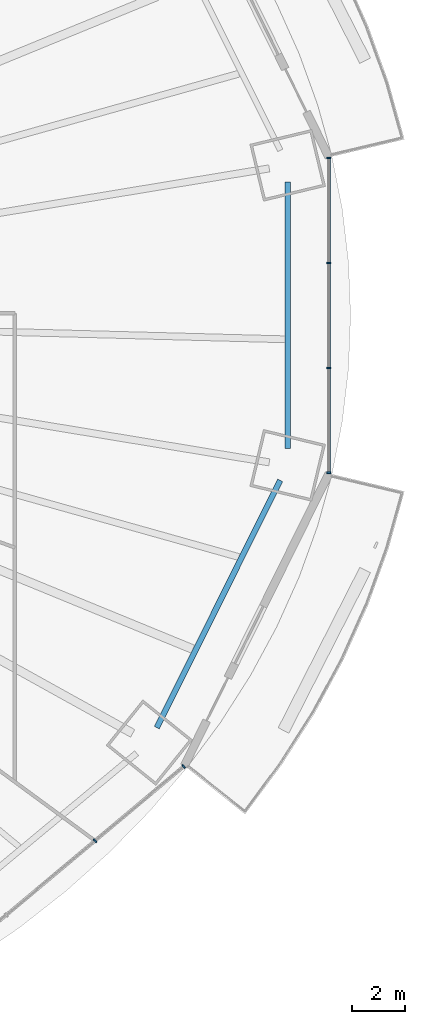
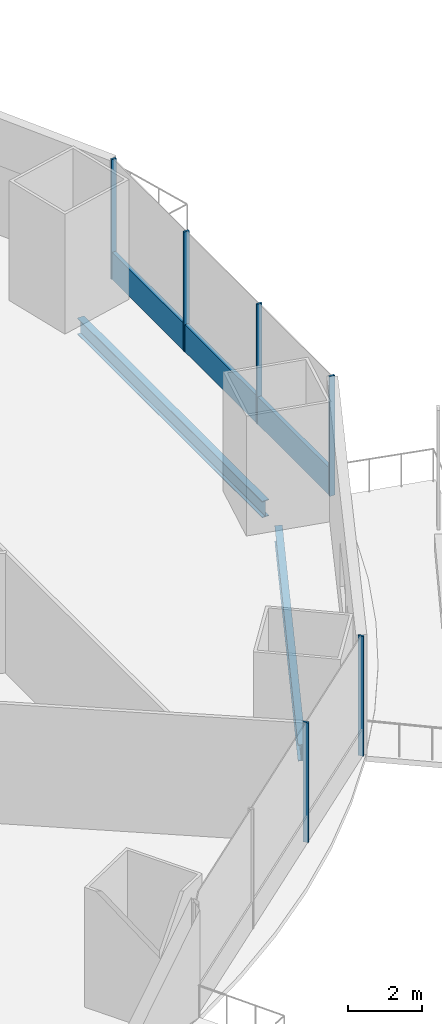
# One storey, part 11 of 23: 7 members, 2 beams, 2 elements without a shape of their own.
"""IFC4 building model written with IfcOpenShell, lengths in metres."""

from ifc_helpers import new_model, si_unit, direction, frame, origin, origin_2d, place, context, subcontext, project, spatial, rectangle, i_section, extrude, material, material_profile, profile_set, type_object, element, aggregate, save


model = new_model("IFC4")

# Units and contexts
model_context = context("Model", 3, precision=1e-05, world=origin(), true_north=direction((0.0, 1.0)))
body_context = subcontext(model_context, "Body", "Model", "MODEL_VIEW")
ifc_project = project(units=[si_unit("LENGTHUNIT", "METRE"), si_unit("AREAUNIT", "SQUARE_METRE"), si_unit("VOLUMEUNIT", "CUBIC_METRE"), si_unit("PLANEANGLEUNIT", "RADIAN"), si_unit("MASSUNIT", "GRAM", prefix="KILO")], contexts=[model_context])

# Site, building, storey
site_placement = place(None, origin())
site = spatial("IfcSite", under=ifc_project, at=site_placement, CompositionType="ELEMENT")
building_placement = place(site_placement, origin())
building = spatial("IfcBuilding", under=site, at=building_placement, Name="Marenthal Gate Tower", CompositionType="ELEMENT")
storey_placement = place(building_placement, frame((0.0, 0.0, 53.75)))
storey = spatial("IfcBuildingStorey", under=building, at=storey_placement, Name="L09", CompositionType="ELEMENT", Elevation=53.75)

# Curtain wall, members
ifc_material_1 = material(Name="Aluminium and glass", Category="aluminium")
curtain_wall_type = type_object("IfcCurtainWallType", Name="Curtain wall typical low", PredefinedType="NOTDEFINED", material=ifc_material_1)
curtain_wall_1_placement = place(storey_placement, origin())
curtain_wall_1 = element("IfcCurtainWall", 1, at=curtain_wall_1_placement, inside=storey, type_object=curtain_wall_type, Name="Curtain wall L09 bay 14", PredefinedType="NOTDEFINED")
ifc_material_2 = material(Name="Aluminium", Category="aluminium")
ifc_material_profile_1 = material_profile(ifc_material_2, rectangle(XDim=0.159912109375, YDim=0.06005859375, at=origin_2d()), Name="60x160 aluminium mullion")
ifc_profile_set_1 = profile_set([ifc_material_profile_1], Name="Aluminium")
member_type_1 = type_object("IfcMemberType", Name="Mullion 60x160 typical low", PredefinedType="MULLION", material=ifc_profile_set_1)
member_1_placement = place(storey_placement, frame((26.938232421875, -19.76611328125, 0.0), z_axis=(0.0, 0.0, 1.0), x_axis=(-0.642047277641, 0.766665046336, 0.0)))
member_1 = element("IfcMember", 2, at=member_1_placement, type_object=member_type_1, Name="Mullion L09 bay 14.3", PredefinedType="MULLION", context=body_context, shape_type="SweptSolid", body=[
    extrude(rectangle(XDim=0.159912109375, YDim=0.06005859375, at=origin_2d()), origin(), (0.0, 0.0, 1.0), 3.969970703125),
])
member_2_placement = place(storey_placement, frame((30.274169921875, -16.972412109375, 0.0), z_axis=(0.0, 0.0, 1.0), x_axis=(-0.642047277641, 0.766665046336, 0.0)))
member_2 = element("IfcMember", 3, at=member_2_placement, type_object=member_type_1, Name="Mullion L09 bay 14.4", PredefinedType="MULLION", context=body_context, shape_type="SweptSolid", body=[
    extrude(rectangle(XDim=0.159912109375, YDim=0.06005859375, at=origin_2d()), origin(), (0.0, 0.0, 1.0), 3.969970703125),
])
aggregate(curtain_wall_1, [member_1, member_2])

curtain_wall_2_placement = place(storey_placement, origin())
curtain_wall_2 = element("IfcCurtainWall", 4, at=curtain_wall_2_placement, inside=storey, type_object=curtain_wall_type, Name="Curtain wall L09 bay 16", PredefinedType="NOTDEFINED")
member_3_placement = place(storey_placement, frame((35.73779296875, -5.923095703125, 0.0), z_axis=(0.0, 0.0, 1.0), x_axis=(-1.0, 0.0, 0.0)))
member_3 = element("IfcMember", 5, at=member_3_placement, type_object=member_type_1, Name="Mullion L09 bay 16.1", PredefinedType="MULLION", context=body_context, shape_type="SweptSolid", body=[
    extrude(rectangle(XDim=0.159912109375, YDim=0.06005859375, at=origin_2d()), origin(), (0.0, 0.0, 1.0), 3.969970703125),
])
member_4_placement = place(storey_placement, frame((35.73779296875, -1.974365234375, 0.0), z_axis=(0.0, 0.0, 1.0), x_axis=(-1.0, 0.0, 0.0)))
member_4 = element("IfcMember", 6, at=member_4_placement, type_object=member_type_1, Name="Mullion L09 bay 16.2", PredefinedType="MULLION", context=body_context, shape_type="SweptSolid", body=[
    extrude(rectangle(XDim=0.159912109375, YDim=0.06005859375, at=origin_2d()), origin(), (0.0, 0.0, 1.0), 3.969970703125),
])
member_5_placement = place(storey_placement, frame((35.73779296875, 1.974365234375, 0.0), z_axis=(0.0, 0.0, 1.0), x_axis=(-1.0, 0.0, 0.0)))
member_5 = element("IfcMember", 7, at=member_5_placement, type_object=member_type_1, Name="Mullion L09 bay 16.3", PredefinedType="MULLION", context=body_context, shape_type="SweptSolid", body=[
    extrude(rectangle(XDim=0.159912109375, YDim=0.06005859375, at=origin_2d()), origin(), (0.0, 0.0, 1.0), 3.969970703125),
])
member_6_placement = place(storey_placement, frame((35.73779296875, 5.923095703125, 0.0), z_axis=(0.0, 0.0, 1.0), x_axis=(-1.0, 0.0, 0.0)))
member_6 = element("IfcMember", 8, at=member_6_placement, type_object=member_type_1, Name="Mullion L09 bay 16.4", PredefinedType="MULLION", context=body_context, shape_type="SweptSolid", body=[
    extrude(rectangle(XDim=0.159912109375, YDim=0.06005859375, at=origin_2d()), origin(), (0.0, 0.0, 1.0), 3.969970703125),
])
ifc_material_3 = material(Name="Aluminium", Category="aluminium")
ifc_material_profile_2 = material_profile(ifc_material_3, rectangle(XDim=0.1201171875, YDim=0.89990234375, at=origin_2d()), Name="120x900 aluminium transom")
ifc_profile_set_2 = profile_set([ifc_material_profile_2], Name="Aluminium")
member_type_2 = type_object("IfcMemberType", Name="Transom 120x900 typical low", PredefinedType="USERDEFINED", material=ifc_profile_set_2)
member_7_placement = place(storey_placement, frame((35.73779296875, -5.893310546875, 0.449951171875), z_axis=(0.0, 1.0, 0.0), x_axis=(-1.0, 0.0, 0.0)))
member_7 = element("IfcMember", 9, at=member_7_placement, type_object=member_type_2, Name="Transom L09 bay 16", ObjectType="TRANSOM", PredefinedType="USERDEFINED", context=body_context, shape_type="SweptSolid", body=[
    extrude(rectangle(XDim=0.1201171875, YDim=0.89990234375, at=origin_2d()), origin(), (0.0, 0.0, 1.0), 11.78662109375),
])
aggregate(curtain_wall_2, [member_3, member_4, member_5, member_6, member_7])

# Beams
ifc_material_4 = material(Name="Steel S355", Category="steel")
ifc_material_profile_3 = material_profile(ifc_material_4, i_section(OverallWidth=0.2119140625, OverallDepth=0.5439453125, WebThickness=0.01318359375, FlangeThickness=0.021240234375, FilletRadius=0.0126953125, at=origin_2d()), Name="W530X123")
ifc_profile_set_3 = profile_set([ifc_material_profile_3], Name="Steel S355")
beam_type = type_object("IfcBeamType", Name="W530X123 beam", PredefinedType="BEAM", material=ifc_profile_set_3)
beam_1_placement = place(storey_placement, frame((29.2626953125, -15.515380859375, -0.451904296875), z_axis=(0.446499954542, 0.894783655748, 0.0), x_axis=(-0.894783655748, 0.446499954542, 0.0)))
element("IfcBeam", 10, at=beam_1_placement, inside=storey, type_object=beam_type, Name="BM-L09-55", PredefinedType="BEAM", context=body_context, shape_type="SweptSolid", body=[
    extrude(i_section(OverallWidth=0.2119140625, OverallDepth=0.5439453125, WebThickness=0.01318359375, FlangeThickness=0.021240234375, FilletRadius=0.0126953125, at=origin_2d()), origin(), (0.0, 0.0, 1.0), 10.402099609375),
])
beam_2_placement = place(storey_placement, frame((34.188232421875, -5.013916015625, -0.451904296875), z_axis=(0.0, 1.0, 0.0), x_axis=(-1.0, 0.0, 0.0)))
element("IfcBeam", 11, at=beam_2_placement, inside=storey, type_object=beam_type, Name="BM-L09-56", PredefinedType="BEAM", context=body_context, shape_type="SweptSolid", body=[
    extrude(i_section(OverallWidth=0.2119140625, OverallDepth=0.5439453125, WebThickness=0.01318359375, FlangeThickness=0.021240234375, FilletRadius=0.0126953125, at=origin_2d()), origin(), (0.0, 0.0, 1.0), 10.02783203125),
])

save(model, "model.ifc")
